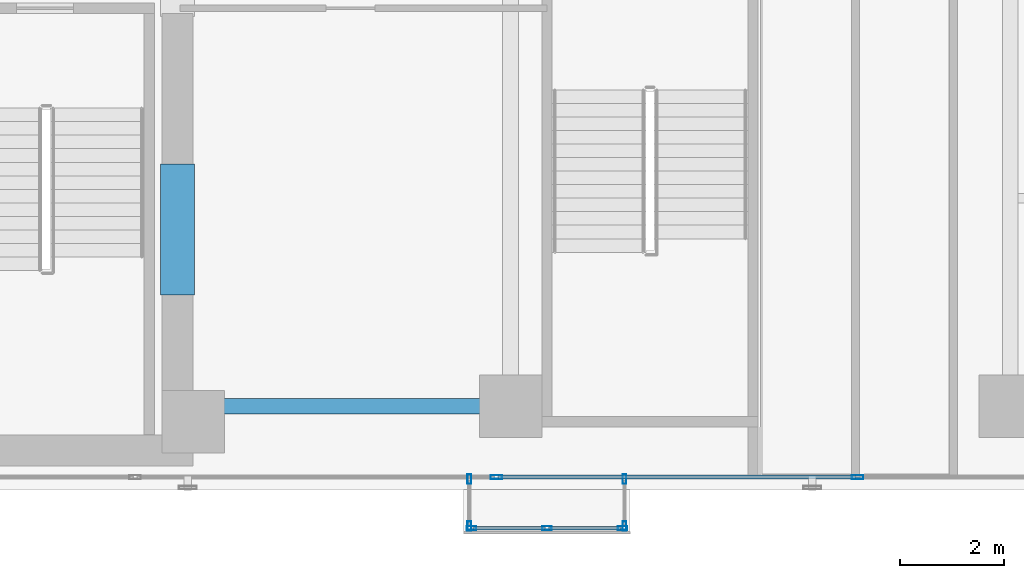
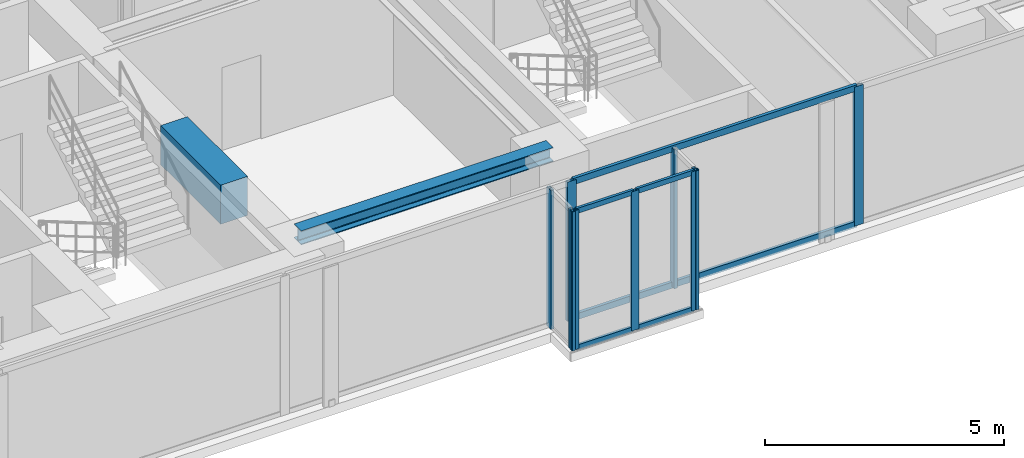
# One storey, part 4 of 24: 15 members, 2 beams, 4 elements without a shape of their own.
"""IFC4 building model written with IfcOpenShell, lengths in metres."""

from ifc_helpers import new_model, si_unit, direction, frame, origin, origin_with_axes, origin_2d, place, context, subcontext, project, spatial, rectangle, hollow_rectangle, i_section, extrude, source, transform, mapped, material, layer, layer_set, material_profile, profile_set, type_object, element, aggregate, save


model = new_model("IFC4")

# Units and contexts
model_context = context("Model", 3, precision=1e-05, world=origin(), true_north=direction((0.0, 1.0)))
body_context = subcontext(model_context, "Body", "Model", "MODEL_VIEW")
ifc_project = project(units=[si_unit("LENGTHUNIT", "METRE"), si_unit("AREAUNIT", "SQUARE_METRE"), si_unit("VOLUMEUNIT", "CUBIC_METRE"), si_unit("PLANEANGLEUNIT", "RADIAN"), si_unit("MASSUNIT", "GRAM", prefix="KILO")], contexts=[model_context])

# Site, building, storey
site_placement = place(None, origin())
site = spatial("IfcSite", under=ifc_project, at=site_placement, CompositionType="ELEMENT")
building_placement = place(site_placement, origin())
building = spatial("IfcBuilding", under=site, at=building_placement, Name="Kolvaren Waterfront Exchange", CompositionType="ELEMENT")
storey_placement = place(building_placement, frame((0.0, 0.0, 184.199951171875)))
storey = spatial("IfcBuildingStorey", under=building, at=storey_placement, Name="L47", CompositionType="ELEMENT", Elevation=184.199951171875)

# Beams
ifc_material_1 = material(Name="Steel S355", Category="steel")
ifc_material_profile_1 = material_profile(ifc_material_1, i_section(OverallWidth=0.300048828125, OverallDepth=0.360107421875, WebThickness=0.012451171875, FlangeThickness=0.0224609375, FilletRadius=0.027099609375, at=origin_2d()), Name="HEB360")
ifc_profile_set_1 = profile_set([ifc_material_profile_1], Name="Steel S355")
beam_type_1 = type_object("IfcBeamType", Name="STR-BM-HEB360", PredefinedType="SPANDREL", material=ifc_profile_set_1)
beam_1_placement = place(storey_placement, frame((21.10009765625, 5.199951171875, 3.380126953125), z_axis=(1.0, 0.0, 0.0), x_axis=(0.0, 1.0, 0.0)))
element("IfcBeam", 1, at=beam_1_placement, inside=storey, type_object=beam_type_1, Name="L47 east-arm spandrel S1", PredefinedType="SPANDREL", context=body_context, shape_type="SweptSolid", body=[
    extrude(i_section(OverallWidth=0.300048828125, OverallDepth=0.360107421875, WebThickness=0.012451171875, FlangeThickness=0.0224609375, FilletRadius=0.027099609375, at=origin_2d()), origin(), (0.0, 0.0, 1.0), 6.099853515625),
])
ifc_material_2 = material(Name="Concrete C60/75", Category="concrete")
ifc_material_profile_2 = material_profile(ifc_material_2, rectangle(XDim=0.64990234375, YDim=1.0, at=origin_2d()), Name="RC-CB-1000x650")
ifc_profile_set_2 = profile_set([ifc_material_profile_2], Name="Concrete C60/75")
beam_type_2 = type_object("IfcBeamType", Name="STR-CB-1000", PredefinedType="SPANDREL", material=ifc_profile_set_2)
beam_2_placement = place(storey_placement, frame((20.800048828125, 7.340087890625, 3.06005859375), z_axis=(0.0, 1.0, 0.0), x_axis=(-1.0, 0.0, 0.0)))
element("IfcBeam", 2, at=beam_2_placement, inside=storey, type_object=beam_type_2, Name="L47 core coupling beam 1", PredefinedType="SPANDREL", context=body_context, shape_type="SweptSolid", body=[
    extrude(rectangle(XDim=0.64990234375, YDim=1.0, at=origin_2d()), origin(), (0.0, 0.0, 1.0), 2.52001953125),
])

# Curtain wall, members
ifc_material_3 = material(Name="Anodised bronze aluminium 6063-T6", Category="aluminium")
ifc_layer_1 = layer(ifc_material_3, 0.219970703125, Name="Anodised bronze aluminium 6063-T6")
ifc_layer_set_1 = layer_set([ifc_layer_1], Name="Anodised bronze aluminium 6063-T6")
curtain_wall_type_1 = type_object("IfcCurtainWallType", Name="ARC-CW-SYS3", PredefinedType="USERDEFINED", material=ifc_layer_set_1)
curtain_wall_1_placement = place(storey_placement, origin())
curtain_wall_1 = element("IfcCurtainWall", 3, at=curtain_wall_1_placement, inside=storey, type_object=curtain_wall_type_1, Name="L47 stick curtain wall CW3 (CW-L47-BOX)", ObjectType="STICK CURTAIN WALL", PredefinedType="USERDEFINED")
ifc_material_profile_3 = material_profile(ifc_material_3, hollow_rectangle(XDim=0.06494140625, YDim=0.1298828125, WallThickness=0.00390625, at=origin_2d()), Name="ALU-TRN-130x65x4")
ifc_profile_set_3 = profile_set([ifc_material_profile_3], Name="Anodised bronze aluminium 6063-T6")
member_type_1 = type_object("IfcMemberType", Name="ARC-CWT-130", PredefinedType="USERDEFINED", material=ifc_profile_set_3)
shared_shape_1 = source(origin_with_axes(), body_context, "Body", "SweptSolid", [
    extrude(hollow_rectangle(XDim=0.06494140625, YDim=0.1298828125, WallThickness=0.00390625, at=origin_2d()), origin(), (0.0, 0.0, 1.0), 1.37744140625),
])
member_1_placement = place(storey_placement, frame((26.485107421875, 2.860107421875, 0.032470703125), z_axis=(1.0, 0.0, 0.0), x_axis=(0.0, 1.0, 0.0)))
member_1 = element("IfcMember", 4, at=member_1_placement, type_object=member_type_1, Name="CW3 transom 1.1", ObjectType="TRANSOM", PredefinedType="USERDEFINED", context=body_context, shape_type="MappedRepresentation", body=[
    mapped(shared_shape_1, transform((0.0, 0.0, 0.0), x_axis=(1.0, 0.0, 0.0), y_axis=(0.0, 1.0, 0.0), z_axis=(0.0, 0.0, 1.0), scale=1.0)),
])
member_2_placement = place(storey_placement, frame((26.485107421875, 2.860107421875, 3.527587890625), z_axis=(1.0, 0.0, 0.0), x_axis=(0.0, 1.0, 0.0)))
member_2 = element("IfcMember", 5, at=member_2_placement, type_object=member_type_1, Name="CW3 transom 1.2", ObjectType="TRANSOM", PredefinedType="USERDEFINED", context=body_context, shape_type="MappedRepresentation", body=[
    mapped(shared_shape_1, transform((0.0, 0.0, 0.0), x_axis=(1.0, 0.0, 0.0), y_axis=(0.0, 1.0, 0.0), z_axis=(0.0, 0.0, 1.0), scale=1.0)),
])
member_3_placement = place(storey_placement, frame((27.9375, 2.860107421875, 0.032470703125), z_axis=(1.0, 0.0, 0.0), x_axis=(0.0, 1.0, 0.0)))
member_3 = element("IfcMember", 6, at=member_3_placement, type_object=member_type_1, Name="CW3 transom 2.1", ObjectType="TRANSOM", PredefinedType="USERDEFINED", context=body_context, shape_type="MappedRepresentation", body=[
    mapped(shared_shape_1, transform((0.0, 0.0, 0.0), x_axis=(1.0, 0.0, 0.0), y_axis=(0.0, 1.0, 0.0), z_axis=(0.0, 0.0, 1.0), scale=1.0)),
])
member_4_placement = place(storey_placement, frame((27.9375, 2.860107421875, 3.527587890625), z_axis=(1.0, 0.0, 0.0), x_axis=(0.0, 1.0, 0.0)))
member_4 = element("IfcMember", 7, at=member_4_placement, type_object=member_type_1, Name="CW3 transom 2.2", ObjectType="TRANSOM", PredefinedType="USERDEFINED", context=body_context, shape_type="MappedRepresentation", body=[
    mapped(shared_shape_1, transform((0.0, 0.0, 0.0), x_axis=(1.0, 0.0, 0.0), y_axis=(0.0, 1.0, 0.0), z_axis=(0.0, 0.0, 1.0), scale=1.0)),
])

curtain_wall_2_placement = place(storey_placement, origin())
curtain_wall_2 = element("IfcCurtainWall", 8, at=curtain_wall_2_placement, inside=storey, type_object=curtain_wall_type_1, Name="L47 stick curtain wall CW3 (CW-L47-BOX-W)", ObjectType="STICK CURTAIN WALL", PredefinedType="USERDEFINED")
ifc_material_profile_4 = material_profile(ifc_material_3, hollow_rectangle(XDim=0.074951171875, YDim=0.179931640625, WallThickness=0.00439453125, at=origin_2d()), Name="ALU-MUL-180x75x4.5")
ifc_profile_set_4 = profile_set([ifc_material_profile_4], Name="Anodised bronze aluminium 6063-T6")
member_type_2 = type_object("IfcMemberType", Name="ARC-CWM-180", PredefinedType="MULLION", material=ifc_profile_set_4)
shared_shape_2 = source(origin_with_axes(), body_context, "Body", "SweptSolid", [
    extrude(hollow_rectangle(XDim=0.074951171875, YDim=0.179931640625, WallThickness=0.00439453125, at=origin_2d()), origin(), (0.0, 0.0, 1.0), 3.56005859375),
])
member_5_placement = place(storey_placement, frame((26.409912109375, 3.802490234375, 0.0), z_axis=(0.0, 0.0, 1.0), x_axis=(1.0, 0.0, 0.0)))
member_5 = element("IfcMember", 9, at=member_5_placement, type_object=member_type_2, Name="CW3 mullion 1", PredefinedType="MULLION", context=body_context, shape_type="MappedRepresentation", body=[
    mapped(shared_shape_2, transform((0.0, 0.0, 0.0), x_axis=(1.0, 0.0, 0.0), y_axis=(0.0, 1.0, 0.0), z_axis=(0.0, 0.0, 1.0), scale=1.0)),
])
member_6_placement = place(storey_placement, frame((26.409912109375, 2.8974609375, 0.0), z_axis=(0.0, 0.0, 1.0), x_axis=(1.0, 0.0, 0.0)))
member_6 = element("IfcMember", 10, at=member_6_placement, type_object=member_type_2, Name="CW3 mullion 2", PredefinedType="MULLION", context=body_context, shape_type="MappedRepresentation", body=[
    mapped(shared_shape_2, transform((0.0, 0.0, 0.0), x_axis=(1.0, 0.0, 0.0), y_axis=(0.0, 1.0, 0.0), z_axis=(0.0, 0.0, 1.0), scale=1.0)),
])
aggregate(curtain_wall_2, [member_5, member_6])

# Member
member_7_placement = place(storey_placement, frame((26.447509765625, 2.860107421875, 0.0), z_axis=(0.0, 0.0, 1.0), x_axis=(0.0, 1.0, 0.0)))
member_7 = element("IfcMember", 11, at=member_7_placement, type_object=member_type_2, Name="CW3 mullion 1", PredefinedType="MULLION", context=body_context, shape_type="MappedRepresentation", body=[
    mapped(shared_shape_2, transform((0.0, 0.0, 0.0), x_axis=(1.0, 0.0, 0.0), y_axis=(0.0, 1.0, 0.0), z_axis=(0.0, 0.0, 1.0), scale=1.0)),
])

member_8_placement = place(storey_placement, frame((27.89990234375, 2.860107421875, 0.0), z_axis=(0.0, 0.0, 1.0), x_axis=(0.0, 1.0, 0.0)))
member_8 = element("IfcMember", 12, at=member_8_placement, type_object=member_type_2, Name="CW3 mullion 2", PredefinedType="MULLION", context=body_context, shape_type="MappedRepresentation", body=[
    mapped(shared_shape_2, transform((0.0, 0.0, 0.0), x_axis=(1.0, 0.0, 0.0), y_axis=(0.0, 1.0, 0.0), z_axis=(0.0, 0.0, 1.0), scale=1.0)),
])

member_9_placement = place(storey_placement, frame((29.3525390625, 2.860107421875, 0.0), z_axis=(0.0, 0.0, 1.0), x_axis=(0.0, 1.0, 0.0)))
member_9 = element("IfcMember", 13, at=member_9_placement, type_object=member_type_2, Name="CW3 mullion 3", PredefinedType="MULLION", context=body_context, shape_type="MappedRepresentation", body=[
    mapped(shared_shape_2, transform((0.0, 0.0, 0.0), x_axis=(1.0, 0.0, 0.0), y_axis=(0.0, 1.0, 0.0), z_axis=(0.0, 0.0, 1.0), scale=1.0)),
])

aggregate(curtain_wall_1, [member_7, member_8, member_9, member_1, member_2, member_3, member_4])

# Curtain wall, members
curtain_wall_3_placement = place(storey_placement, origin())
curtain_wall_3 = element("IfcCurtainWall", 14, at=curtain_wall_3_placement, inside=storey, type_object=curtain_wall_type_1, Name="L47 stick curtain wall CW3 (CW-L47-BOX-E)", ObjectType="STICK CURTAIN WALL", PredefinedType="USERDEFINED")
member_10_placement = place(storey_placement, frame((29.389892578125, 2.8974609375, 0.0), z_axis=(0.0, 0.0, 1.0), x_axis=(-1.0, 0.0, 0.0)))
member_10 = element("IfcMember", 15, at=member_10_placement, type_object=member_type_2, Name="CW3 mullion 1", PredefinedType="MULLION", context=body_context, shape_type="MappedRepresentation", body=[
    mapped(shared_shape_2, transform((0.0, 0.0, 0.0), x_axis=(1.0, 0.0, 0.0), y_axis=(0.0, 1.0, 0.0), z_axis=(0.0, 0.0, 1.0), scale=1.0)),
])
member_11_placement = place(storey_placement, frame((29.389892578125, 3.802490234375, 0.0), z_axis=(0.0, 0.0, 1.0), x_axis=(-1.0, 0.0, 0.0)))
member_11 = element("IfcMember", 16, at=member_11_placement, type_object=member_type_2, Name="CW3 mullion 2", PredefinedType="MULLION", context=body_context, shape_type="MappedRepresentation", body=[
    mapped(shared_shape_2, transform((0.0, 0.0, 0.0), x_axis=(1.0, 0.0, 0.0), y_axis=(0.0, 1.0, 0.0), z_axis=(0.0, 0.0, 1.0), scale=1.0)),
])
aggregate(curtain_wall_3, [member_10, member_11])

ifc_layer_2 = layer(ifc_material_3, 0.219970703125, Name="Anodised bronze aluminium 6063-T6")
ifc_layer_set_2 = layer_set([ifc_layer_2], Name="Anodised bronze aluminium 6063-T6")
curtain_wall_type_2 = type_object("IfcCurtainWallType", Name="ARC-CW-SYS1", PredefinedType="USERDEFINED", material=ifc_layer_set_2)
curtain_wall_4_placement = place(storey_placement, origin())
curtain_wall_4 = element("IfcCurtainWall", 17, at=curtain_wall_4_placement, inside=storey, type_object=curtain_wall_type_2, Name="L47 stick curtain wall CW1 (CW-L47-S)", ObjectType="STICK CURTAIN WALL", PredefinedType="USERDEFINED")
ifc_material_4 = material(Name="Anodised aluminium 6063-T6", Category="aluminium")
ifc_material_profile_5 = material_profile(ifc_material_4, hollow_rectangle(XDim=0.080078125, YDim=0.219970703125, WallThickness=0.0048828125, at=origin_2d()), Name="ALU-MUL-220x80x5")
ifc_profile_set_5 = profile_set([ifc_material_profile_5], Name="Anodised aluminium 6063-T6")
member_type_3 = type_object("IfcMemberType", Name="ARC-CWM-220", PredefinedType="MULLION", material=ifc_profile_set_5)
shared_shape_3 = source(origin_with_axes(), body_context, "Body", "SweptSolid", [
    extrude(hollow_rectangle(XDim=0.080078125, YDim=0.219970703125, WallThickness=0.0048828125, at=origin_2d()), origin(), (0.0, 0.0, 1.0), 3.56005859375),
])
member_12_placement = place(storey_placement, frame((26.928466796875, 3.840087890625, 0.0), z_axis=(0.0, 0.0, 1.0), x_axis=(0.0, 1.0, 0.0)))
member_12 = element("IfcMember", 18, at=member_12_placement, type_object=member_type_3, Name="CW1 mullion 4", PredefinedType="MULLION", context=body_context, shape_type="MappedRepresentation", body=[
    mapped(shared_shape_3, transform((0.0, 0.0, 0.0), x_axis=(1.0, 0.0, 0.0), y_axis=(0.0, 1.0, 0.0), z_axis=(0.0, 0.0, 1.0), scale=1.0)),
])
member_13_placement = place(storey_placement, frame((33.871337890625, 3.840087890625, 0.0), z_axis=(0.0, 0.0, 1.0), x_axis=(0.0, 1.0, 0.0)))
member_13 = element("IfcMember", 19, at=member_13_placement, type_object=member_type_3, Name="CW1 mullion 5", PredefinedType="MULLION", context=body_context, shape_type="MappedRepresentation", body=[
    mapped(shared_shape_3, transform((0.0, 0.0, 0.0), x_axis=(1.0, 0.0, 0.0), y_axis=(0.0, 1.0, 0.0), z_axis=(0.0, 0.0, 1.0), scale=1.0)),
])
ifc_material_profile_6 = material_profile(ifc_material_4, hollow_rectangle(XDim=0.074951171875, YDim=0.159912109375, WallThickness=0.00439453125, at=origin_2d()), Name="ALU-TRN-160x75x4.5")
ifc_profile_set_6 = profile_set([ifc_material_profile_6], Name="Anodised aluminium 6063-T6")
member_type_4 = type_object("IfcMemberType", Name="ARC-CWT-160", PredefinedType="USERDEFINED", material=ifc_profile_set_6)
shared_shape_4 = source(origin_with_axes(), body_context, "Body", "SweptSolid", [
    extrude(hollow_rectangle(XDim=0.074951171875, YDim=0.159912109375, WallThickness=0.00439453125, at=origin_2d()), origin(), (0.0, 0.0, 1.0), 6.863037109375),
])
member_14_placement = place(storey_placement, frame((26.968505859375, 3.840087890625, 0.03759765625), z_axis=(1.0, 0.0, 0.0), x_axis=(0.0, 1.0, 0.0)))
member_14 = element("IfcMember", 20, at=member_14_placement, type_object=member_type_4, Name="CW1 transom 4.1", ObjectType="TRANSOM", PredefinedType="USERDEFINED", context=body_context, shape_type="MappedRepresentation", body=[
    mapped(shared_shape_4, transform((0.0, 0.0, 0.0), x_axis=(1.0, 0.0, 0.0), y_axis=(0.0, 1.0, 0.0), z_axis=(0.0, 0.0, 1.0), scale=1.0)),
])
member_15_placement = place(storey_placement, frame((26.968505859375, 3.840087890625, 3.5224609375), z_axis=(1.0, 0.0, 0.0), x_axis=(0.0, 1.0, 0.0)))
member_15 = element("IfcMember", 21, at=member_15_placement, type_object=member_type_4, Name="CW1 transom 4.2", ObjectType="TRANSOM", PredefinedType="USERDEFINED", context=body_context, shape_type="MappedRepresentation", body=[
    mapped(shared_shape_4, transform((0.0, 0.0, 0.0), x_axis=(1.0, 0.0, 0.0), y_axis=(0.0, 1.0, 0.0), z_axis=(0.0, 0.0, 1.0), scale=1.0)),
])
aggregate(curtain_wall_4, [member_12, member_13, member_14, member_15])

save(model, "model.ifc")
